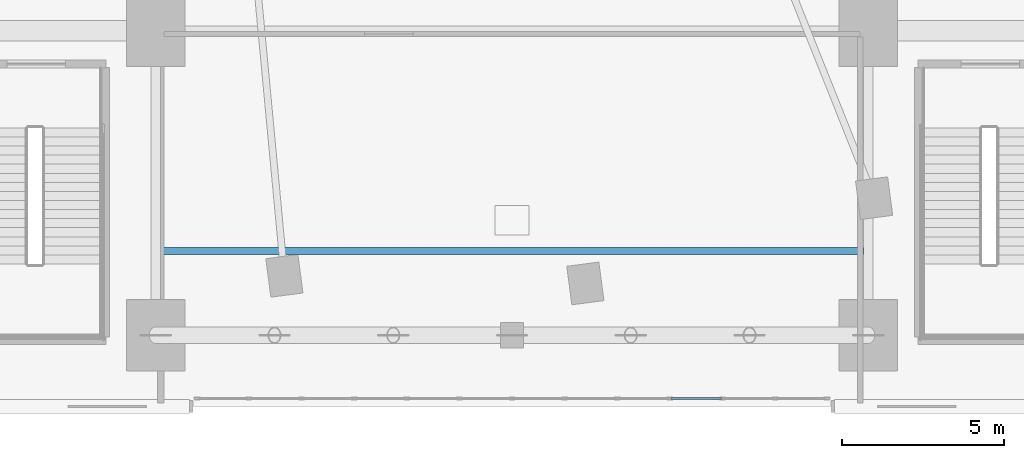
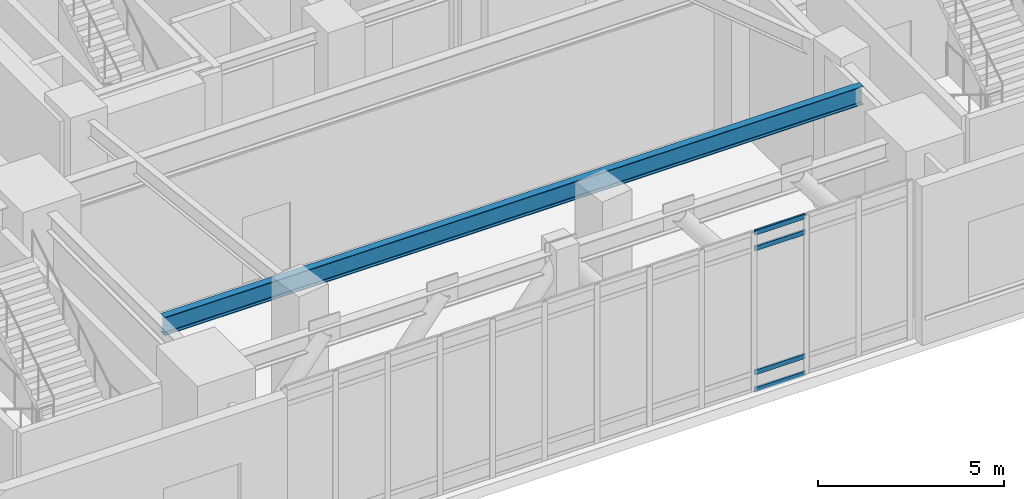
# One storey, part 5 of 19: 4 members, 1 beam, 1 element without a shape of its own.
"""IFC4 building model written with IfcOpenShell, lengths in metres."""

from ifc_helpers import new_model, si_unit, direction, frame, origin, origin_2d, place, context, subcontext, project, spatial, hollow_rectangle, i_section, extrude, material, layer, layer_set, material_profile, profile_set, type_object, element, aggregate, save


model = new_model("IFC4")

# Units and contexts
model_context = context("Model", 3, precision=1e-05, world=origin(), true_north=direction((0.0, 1.0)))
body_context = subcontext(model_context, "Body", "Model", "MODEL_VIEW")
ifc_project = project(units=[si_unit("LENGTHUNIT", "METRE"), si_unit("AREAUNIT", "SQUARE_METRE"), si_unit("VOLUMEUNIT", "CUBIC_METRE"), si_unit("PLANEANGLEUNIT", "RADIAN"), si_unit("MASSUNIT", "GRAM", prefix="KILO")], contexts=[model_context])

# Site, building, storey
site_placement = place(None, origin())
site = spatial("IfcSite", under=ifc_project, at=site_placement, CompositionType="ELEMENT")
building_placement = place(site_placement, origin())
building = spatial("IfcBuilding", under=site, at=building_placement, Name="Ndelora Gate Hotel", CompositionType="ELEMENT")
storey_placement = place(building_placement, frame((0.0, 0.0, 16.0)))
storey = spatial("IfcBuildingStorey", under=building, at=storey_placement, Name="L03", CompositionType="ELEMENT", Elevation=16.0)

# Beam
ifc_material_1 = material(Name="Steel S355", Category="steel")
ifc_material_profile_1 = material_profile(ifc_material_1, i_section(OverallWidth=0.219970703125, OverallDepth=0.60009765625, WebThickness=0.011962890625, FlangeThickness=0.01904296875, FilletRadius=0.02392578125, at=origin_2d()), Name="IPE 600")
ifc_profile_set_1 = profile_set([ifc_material_profile_1], Name="Steel S355")
beam_type = type_object("IfcBeamType", Name="BM-RAD-600", PredefinedType="BEAM", material=ifc_profile_set_1)
beam_placement = place(storey_placement, frame((-10.85009765625, -16.199951171875, 4.919921875), z_axis=(1.0, 0.0, 0.0), x_axis=(0.0, 1.0, 0.0)))
element("IfcBeam", 1, at=beam_placement, inside=storey, type_object=beam_type, Name="L03 Podium Composite Secondary Joist 3", PredefinedType="BEAM", context=body_context, shape_type="SweptSolid", body=[
    extrude(i_section(OverallWidth=0.219970703125, OverallDepth=0.60009765625, WebThickness=0.011962890625, FlangeThickness=0.01904296875, FilletRadius=0.02392578125, at=origin_2d()), origin(), (0.0, 0.0, 1.0), 21.7001953125),
])

# Curtain wall, members
ifc_material_2 = material(Name="Bronze Anodised Unitised Aluminium and Low-E Glass", Category="aluminium")
ifc_layer = layer(ifc_material_2, 0.219970703125)
ifc_layer_set = layer_set([ifc_layer], Name="Bronze Anodised Unitised Aluminium and Low-E Glass")
curtain_wall_type = type_object("IfcCurtainWallType", Name="CW-SYS-2", PredefinedType="NOTDEFINED", material=ifc_layer_set)
curtain_wall_placement = place(storey_placement, origin())
curtain_wall = element("IfcCurtainWall", 2, at=curtain_wall_placement, inside=storey, type_object=curtain_wall_type, Name="L03 South Podium Foyer Curtain Wall CW2", PredefinedType="NOTDEFINED")
ifc_material_3 = material(Name="Bronze Anodised Aluminium 6063-T6", Category="aluminium")
ifc_material_profile_2 = material_profile(ifc_material_3, hollow_rectangle(XDim=0.06494140625, YDim=0.159912109375, WallThickness=0.00390625, InnerFilletRadius=0.00390625, OuterFilletRadius=0.008056640625, at=origin_2d()), Name="ALU 160x65x4")
ifc_profile_set_2 = profile_set([ifc_material_profile_2], Name="Bronze Anodised Aluminium 6063-T6")
member_type = type_object("IfcMemberType", Name="MB-CW-TRN150", PredefinedType="USERDEFINED", material=ifc_profile_set_2)
member_1_placement = place(storey_placement, frame((4.904052734375, -20.75, 0.032470703125), z_axis=(1.0, 0.0, 0.0), x_axis=(0.0, 1.0, 0.0)))
member_1 = element("IfcMember", 3, at=member_1_placement, type_object=member_type, Name="CW2 transom 10.1", ObjectType="TRANSOM", PredefinedType="USERDEFINED", context=body_context, shape_type="SweptSolid", body=[
    extrude(hollow_rectangle(XDim=0.06494140625, YDim=0.159912109375, WallThickness=0.00390625, InnerFilletRadius=0.00390625, OuterFilletRadius=0.008056640625, at=origin_2d()), origin(), (0.0, 0.0, 1.0), 1.56689453125),
])
member_2_placement = place(storey_placement, frame((4.904052734375, -20.75, 0.60009765625), z_axis=(1.0, 0.0, 0.0), x_axis=(0.0, 1.0, 0.0)))
member_2 = element("IfcMember", 4, at=member_2_placement, type_object=member_type, Name="CW2 transom 10.2", ObjectType="TRANSOM", PredefinedType="USERDEFINED", context=body_context, shape_type="SweptSolid", body=[
    extrude(hollow_rectangle(XDim=0.06494140625, YDim=0.159912109375, WallThickness=0.00390625, InnerFilletRadius=0.00390625, OuterFilletRadius=0.008056640625, at=origin_2d()), origin(), (0.0, 0.0, 1.0), 1.56689453125),
])
member_3_placement = place(storey_placement, frame((4.904052734375, -20.75, 4.669921875), z_axis=(1.0, 0.0, 0.0), x_axis=(0.0, 1.0, 0.0)))
member_3 = element("IfcMember", 5, at=member_3_placement, type_object=member_type, Name="CW2 transom 10.3", ObjectType="TRANSOM", PredefinedType="USERDEFINED", context=body_context, shape_type="SweptSolid", body=[
    extrude(hollow_rectangle(XDim=0.06494140625, YDim=0.159912109375, WallThickness=0.00390625, InnerFilletRadius=0.00390625, OuterFilletRadius=0.008056640625, at=origin_2d()), origin(), (0.0, 0.0, 1.0), 1.56689453125),
])
member_4_placement = place(storey_placement, frame((4.904052734375, -20.75, 5.1875), z_axis=(1.0, 0.0, 0.0), x_axis=(0.0, 1.0, 0.0)))
member_4 = element("IfcMember", 6, at=member_4_placement, type_object=member_type, Name="CW2 transom 10.4", ObjectType="TRANSOM", PredefinedType="USERDEFINED", context=body_context, shape_type="SweptSolid", body=[
    extrude(hollow_rectangle(XDim=0.06494140625, YDim=0.159912109375, WallThickness=0.00390625, InnerFilletRadius=0.00390625, OuterFilletRadius=0.008056640625, at=origin_2d()), origin(), (0.0, 0.0, 1.0), 1.56689453125),
])
aggregate(curtain_wall, [member_1, member_2, member_3, member_4])

save(model, "model.ifc")
